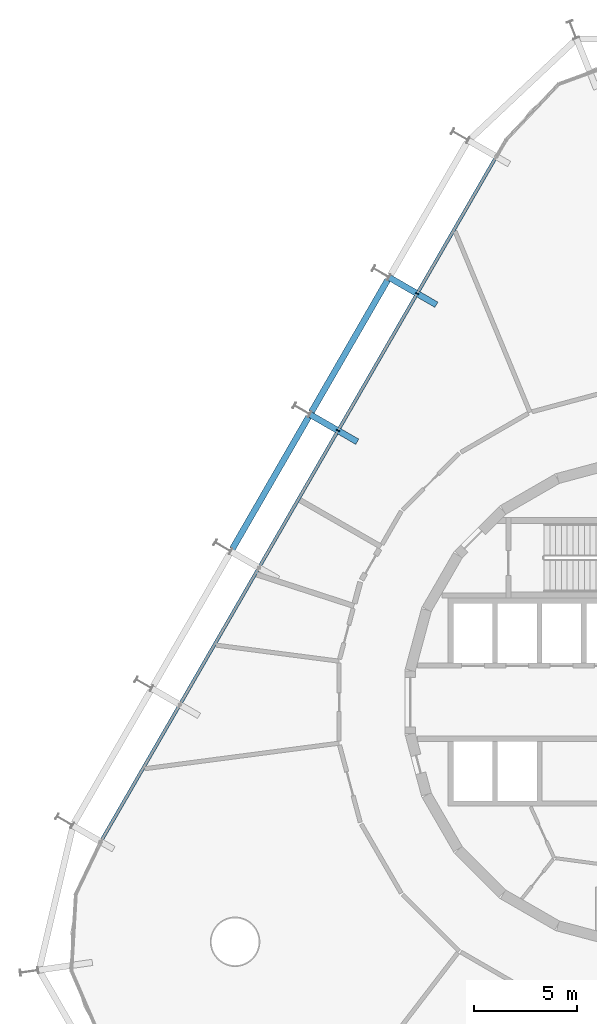
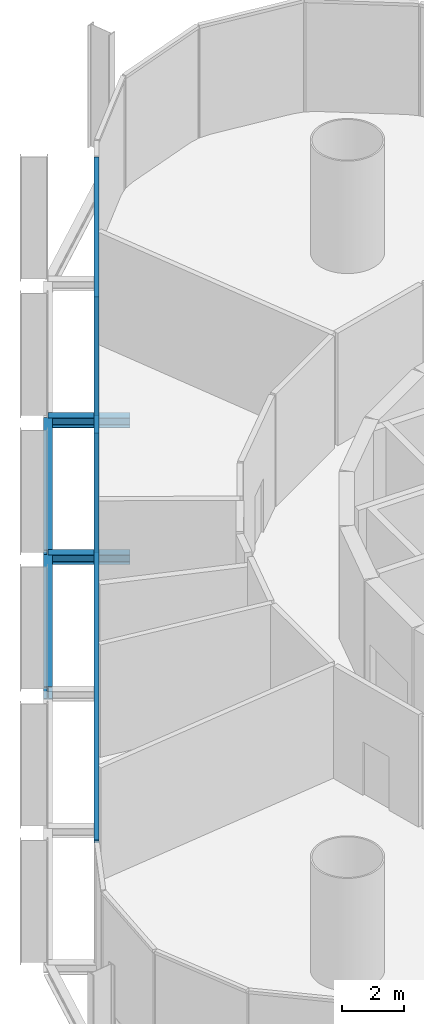
# One storey, part 8 of 17: 4 beams, 3 members, 1 element without a shape of its own.
"""IFC4 building model written with IfcOpenShell, lengths in metres."""

import ifcopenshell
import ifcopenshell.guid

model = None  # the IFC model being written
_history = None  # IfcOwnerHistory: only IFC2X3 demands one
_inside = {}  # id of a spatial element -> (the spatial element, [elements in it])
_under = {}  # id of a project, library or spatial element -> (it, [spatial elements below it])
_declared = {}  # id of a project -> (the project, [libraries it declares])
_typed = {}  # id of a type object -> (the type object, [elements of that type])
_made_of = {}  # id of a material, layer set ... -> (it, [elements and type objects made of it])


def new_model(schema):
    """Start an empty IFC model of exactly this schema.

    Asked for "IFC4X3", IfcOpenShell would pick the latest addendum, in which some entities
    have other attributes; the version numbers below select the first issue.
    IFC2X3 requires an IfcOwnerHistory on every rooted entity: one is made here for all.
    """
    global model, _history
    if schema == "IFC4X3":
        model = ifcopenshell.file(schema_version=(4, 3, 0, 0))
    else:
        model = ifcopenshell.file(schema=schema)
    _inside.clear()
    _under.clear()
    _declared.clear()
    _typed.clear()
    _made_of.clear()
    _history = None
    if model.schema == "IFC2X3":
        org = make("IfcOrganization", Name="unknown")
        user = make(
            "IfcPersonAndOrganization",
            ThePerson=make("IfcPerson", FamilyName="unknown"),
            TheOrganization=org,
        )
        app = make(
            "IfcApplication",
            ApplicationDeveloper=org,
            Version="unknown",
            ApplicationFullName="unknown",
            ApplicationIdentifier="unknown",
        )
        _history = make(
            "IfcOwnerHistory",
            OwningUser=user,
            OwningApplication=app,
            ChangeAction="ADDED",
            CreationDate=0,
        )
    return model


def make(cls, **values):
    """One entity of the class cls with the attributes given. An attribute that is None is left unset."""
    return model.create_entity(
        cls, **{name: value for name, value in values.items() if value is not None}
    )


def rooted(cls, **values):
    """An entity with a GlobalId (a new one), such as an element, a storey or a relation."""
    return make(cls, GlobalId=ifcopenshell.guid.new(), OwnerHistory=_history, **values)


def si_unit(unit_type, name, prefix=None):
    """IfcSIUnit, for example si_unit("LENGTHUNIT", "METRE", prefix="MILLI")."""
    return make("IfcSIUnit", UnitType=unit_type, Prefix=prefix, Name=name)


def assignment(units):
    """IfcUnitAssignment: the units of a project."""
    return None if units is None else make("IfcUnitAssignment", Units=units)


def point(xyz):
    """IfcCartesianPoint."""
    return None if xyz is None else make("IfcCartesianPoint", Coordinates=xyz)


def direction(xyz):
    """IfcDirection."""
    return None if xyz is None else make("IfcDirection", DirectionRatios=xyz)


def frame(location, z_axis=None, x_axis=None):
    """IfcAxis2Placement3D, a coordinate frame: its origin and axes. An axis left out is left unset."""
    return make(
        "IfcAxis2Placement3D",
        Location=point(location),
        Axis=direction(z_axis),
        RefDirection=direction(x_axis),
    )


def frame_2d(location, x_axis=None):
    """IfcAxis2Placement2D, a coordinate frame in the plane: its origin and x axis."""
    return make(
        "IfcAxis2Placement2D", Location=point(location), RefDirection=direction(x_axis)
    )


def origin():
    """The frame at (0, 0, 0) with its axes left unset."""
    return frame((0.0, 0.0, 0.0))


def origin_2d():
    """The frame at (0, 0) in the plane with its x axis left unset."""
    return frame_2d((0.0, 0.0))


def place(relative_to, where):
    """IfcLocalPlacement: puts the frame where relative to a parent placement (None: the world)."""
    return make(
        "IfcLocalPlacement", PlacementRelTo=relative_to, RelativePlacement=where
    )


def context(
    kind, dimensions, precision=None, world=None, true_north=None, identifier=None
):
    """IfcGeometricRepresentationContext, for example the 3D "Model" context."""
    return make(
        "IfcGeometricRepresentationContext",
        ContextIdentifier=identifier,
        ContextType=kind,
        CoordinateSpaceDimension=dimensions,
        Precision=precision,
        WorldCoordinateSystem=world,
        TrueNorth=true_north,
    )


def subcontext(parent, identifier, kind, view, scale=None):
    """IfcGeometricRepresentationSubContext, for example "Body" below "Model"."""
    return make(
        "IfcGeometricRepresentationSubContext",
        ContextIdentifier=identifier,
        ContextType=kind,
        ParentContext=parent,
        TargetScale=scale,
        TargetView=view,
    )


def project(units=None, contexts=None):
    """IfcProject with its units and contexts."""
    return rooted(
        "IfcProject",
        Name="project",
        RepresentationContexts=contexts,
        UnitsInContext=assignment(units),
    )


def spatial(cls, under=None, at=None, **own):
    """A site, building, storey or space (cls), placed at a placement, below another one or the project."""
    s = rooted(cls, ObjectPlacement=at, **own)
    if under is not None:
        _under.setdefault(under.id(), (under, []))[1].append(s)
    return s


def profile(cls, at=None, kind="AREA", **sizes):
    """A parametric profile (cls). Its sizes go by their IFC names, for example OverallWidth=200.0."""
    return make(cls, ProfileType=kind, Position=at, **sizes)


def rectangle(**sizes):
    """IfcRectangleProfileDef."""
    return profile("IfcRectangleProfileDef", **sizes)


def i_section(**sizes):
    """IfcIShapeProfileDef."""
    return profile("IfcIShapeProfileDef", **sizes)


def extrude(swept, where, along, depth):
    """IfcExtrudedAreaSolid: the profile swept, set in the frame where, extruded along a direction by depth."""
    return make(
        "IfcExtrudedAreaSolid",
        SweptArea=swept,
        Position=where,
        ExtrudedDirection=direction(along),
        Depth=depth,
    )


def shape(context_of_items, identifier, shape_type, items):
    """IfcShapeRepresentation: the items that make up one representation, for example the "Body"."""
    return make(
        "IfcShapeRepresentation",
        ContextOfItems=context_of_items,
        RepresentationIdentifier=identifier,
        RepresentationType=shape_type,
        Items=items,
    )


def material(Name=None, Category=None):
    """IfcMaterial."""
    return make("IfcMaterial", Name=Name, Category=Category)


def layer(
    of_material, thickness, ventilated=None, Name=None, Category=None, Priority=None
):
    """IfcMaterialLayer: one layer of a wall or slab, of a material (None: an air gap)."""
    return make(
        "IfcMaterialLayer",
        Material=of_material,
        LayerThickness=thickness,
        IsVentilated=ventilated,
        Name=Name,
        Category=Category,
        Priority=Priority,
    )


def layer_set(layers, Name=None):
    """IfcMaterialLayerSet."""
    return make("IfcMaterialLayerSet", MaterialLayers=layers, LayerSetName=Name)


def material_profile(
    of_material, cross_section, Name=None, Category=None, Priority=None
):
    """IfcMaterialProfile: a cross section and its material."""
    return make(
        "IfcMaterialProfile",
        Name=Name,
        Material=of_material,
        Profile=cross_section,
        Priority=Priority,
        Category=Category,
    )


def profile_set(profiles, Name=None, composite=None):
    """IfcMaterialProfileSet."""
    return make(
        "IfcMaterialProfileSet",
        Name=Name,
        MaterialProfiles=profiles,
        CompositeProfile=composite,
    )


def made_of(thing, what):
    """Note that an element or type object is made of a material, layer set ...; save() writes the relation."""
    if what is not None:
        _made_of.setdefault(what.id(), (what, []))[1].append(thing)
    return thing


def type_object(cls, material=None, **own):
    """A type object (cls), such as IfcWallType, which elements share."""
    return made_of(rooted(cls, **own), material)


def element(
    cls,
    number,
    at=None,
    inside=None,
    cuts=None,
    type_object=None,
    material=None,
    context=None,
    identifier="Body",
    shape_type=None,
    held_by="IfcProductDefinitionShape",
    body=None,
    shapes=None,
    **own,
):
    """One element of the class cls, such as IfcWall. Its Tag is "e" and its number.

    at: its placement. inside: the storey or other place that contains it. cuts: it is an
    opening in that element (IfcRelVoidsElement). A single representation is given by context,
    identifier, shape_type and body (its items); several are given by shapes. held_by: the class
    of the entity that holds the representations. save() writes the other relations.
    """
    e = rooted(cls, Tag="e%d" % number, ObjectPlacement=at, **own)
    if body is not None:
        shapes = [shape(context, identifier, shape_type, body)]
    if shapes is not None:
        e.Representation = make(held_by, Representations=shapes)
    if inside is not None:
        _inside.setdefault(inside.id(), (inside, []))[1].append(e)
    if cuts is not None:
        rooted(
            "IfcRelVoidsElement", RelatingBuildingElement=cuts, RelatedOpeningElement=e
        )
    if type_object is not None:
        _typed.setdefault(type_object.id(), (type_object, []))[1].append(e)
    return made_of(e, material)


def aggregate(whole, parts):
    """IfcRelAggregates: a whole, such as a stair, and the parts it consists of."""
    return rooted("IfcRelAggregates", RelatingObject=whole, RelatedObjects=parts)


def save(model, path):
    """Write the relations noted so far, then the file.

    IfcRelAggregates (storeys below a building ...), IfcRelContainedInSpatialStructure (elements
    in a storey), IfcRelDefinesByType, IfcRelAssociatesMaterial and IfcRelDeclares: one each for
    every whole, place, type object, material and project.
    """
    for whole, parts in _under.values():
        aggregate(whole, parts)
    for where, things in _inside.values():
        rooted(
            "IfcRelContainedInSpatialStructure",
            RelatedElements=things,
            RelatingStructure=where,
        )
    for kind, things in _typed.values():
        rooted("IfcRelDefinesByType", RelatedObjects=things, RelatingType=kind)
    for what, things in _made_of.values():
        rooted("IfcRelAssociatesMaterial", RelatedObjects=things, RelatingMaterial=what)
    for by, libraries in _declared.values():
        rooted("IfcRelDeclares", RelatingContext=by, RelatedDefinitions=libraries)
    model.write(path)


model = new_model("IFC4")

# Units and contexts
model_context = context("Model", 3, precision=1e-05, world=origin(), true_north=direction((0.0, 1.0)))
body_context = subcontext(model_context, "Body", "Model", "MODEL_VIEW")
ifc_project = project(units=[si_unit("LENGTHUNIT", "METRE"), si_unit("AREAUNIT", "SQUARE_METRE"), si_unit("VOLUMEUNIT", "CUBIC_METRE"), si_unit("PLANEANGLEUNIT", "RADIAN"), si_unit("MASSUNIT", "GRAM", prefix="KILO")], contexts=[model_context])

# Site, building, storey
site_placement = place(None, origin())
site = spatial("IfcSite", under=ifc_project, at=site_placement, CompositionType="ELEMENT")
building_placement = place(site_placement, origin())
building = spatial("IfcBuilding", under=site, at=building_placement, Name="Spindle Arch Residences", CompositionType="ELEMENT")
storey_placement = place(building_placement, frame((0.0, 0.0, 13.800048828125)))
storey = spatial("IfcBuildingStorey", under=building, at=storey_placement, Name="L02", CompositionType="ELEMENT", Elevation=13.800048828125)

# Curtain wall, members
ifc_material_1 = material(Name="Aluminium bronze unitised frame with tinted glass", Category="aluminium")
ifc_layer = layer(ifc_material_1, 0.159912109375)
ifc_layer_set = layer_set([ifc_layer], Name="CW-B amenity podium glazed wall")
curtain_wall_type = type_object("IfcCurtainWallType", Name="CW-B amenity podium glazed wall", PredefinedType="NOTDEFINED", material=ifc_layer_set)
curtain_wall_placement = place(storey_placement, origin())
curtain_wall = element("IfcCurtainWall", 1, at=curtain_wall_placement, inside=storey, type_object=curtain_wall_type, Name="CW-B L02 run 4", PredefinedType="NOTDEFINED")
ifc_material_2 = material(Name="Aluminium bronze anodised mullion", Category="aluminium")
ifc_material_profile_1 = material_profile(ifc_material_2, rectangle(XDim=0.159912109375, YDim=0.06005859375, at=origin_2d()), Name="MU 60x160")
ifc_profile_set_1 = profile_set([ifc_material_profile_1], Name="Aluminium bronze anodised mullion")
member_type_1 = type_object("IfcMemberType", Name="Bronze mullion 60x160", PredefinedType="MULLION", material=ifc_profile_set_1)
member_1_placement = place(storey_placement, frame((-11.309326171875, 19.83154296875, -0.380126953125), z_axis=(0.0, 0.0, 1.0), x_axis=(0.866025403784, -0.5, 0.0)))
member_1 = element("IfcMember", 2, at=member_1_placement, type_object=member_type_1, Name="CW-B mullion 14", PredefinedType="MULLION", context=body_context, shape_type="SweptSolid", body=[
    extrude(rectangle(XDim=0.159912109375, YDim=0.06005859375, at=origin_2d()), origin(), (0.0, 0.0, 1.0), 4.68017578125),
])
member_2_placement = place(storey_placement, frame((-15.149169921875, 13.180419921875, -0.380126953125), z_axis=(0.0, 0.0, 1.0), x_axis=(0.866025403784, -0.5, 0.0)))
member_2 = element("IfcMember", 3, at=member_2_placement, type_object=member_type_1, Name="CW-B mullion 15", PredefinedType="MULLION", context=body_context, shape_type="SweptSolid", body=[
    extrude(rectangle(XDim=0.159912109375, YDim=0.06005859375, at=origin_2d()), origin(), (0.0, 0.0, 1.0), 4.68017578125),
])
ifc_material_3 = material(Name="Aluminium bronze anodised transom", Category="aluminium")
ifc_material_profile_2 = material_profile(ifc_material_3, rectangle(XDim=0.159912109375, YDim=0.1201171875, at=origin_2d()), Name="TR 120x160")
ifc_profile_set_2 = profile_set([ifc_material_profile_2], Name="Aluminium bronze anodised transom")
member_type_2 = type_object("IfcMemberType", Name="Bronze transom 120x160", PredefinedType="USERDEFINED", material=ifc_profile_set_2)
member_3_placement = place(storey_placement, frame((-7.484130859375, 26.456787109375, 4.35986328125), z_axis=(-0.50000099666, -0.866024828362, 0.0), x_axis=(0.866024828362, -0.50000099666, 0.0)))
member_3 = element("IfcMember", 4, at=member_3_placement, type_object=member_type_2, Name="CW-B transom 00", ObjectType="TRANSOM", PredefinedType="USERDEFINED", context=body_context, shape_type="SweptSolid", body=[
    extrude(rectangle(XDim=0.159912109375, YDim=0.1201171875, at=origin_2d()), origin(), (0.0, 0.0, 1.0), 38.34033203125),
])
aggregate(curtain_wall, [member_3, member_1, member_2])

# Beams
ifc_material_4 = material(Name="Steel S460ML, intumescent coating R 120", Category="steel")
ifc_material_profile_3 = material_profile(ifc_material_4, i_section(OverallWidth=0.300048828125, OverallDepth=0.5, WebThickness=0.014404296875, FlangeThickness=0.028076171875, FilletRadius=0.027099609375, at=origin_2d()), Name="HEB 500")
ifc_profile_set_3 = profile_set([ifc_material_profile_3], Name="Steel S460ML, intumescent coating R 120")
beam_type_1 = type_object("IfcBeamType", Name="Exoskeleton edge beam HEB 500", PredefinedType="BEAM", material=ifc_profile_set_3)
beam_1_placement = place(storey_placement, frame((-12.73388671875, 20.504150390625, -0.630126953125), z_axis=(-0.49998923004, -0.866031621735, 0.0), x_axis=(0.866031621735, -0.49998923004, 0.0)))
element("IfcBeam", 5, at=beam_1_placement, inside=storey, type_object=beam_type_1, Name="Exoskeleton edge beam 15", PredefinedType="BEAM", context=body_context, shape_type="SweptSolid", body=[
    extrude(i_section(OverallWidth=0.300048828125, OverallDepth=0.5, WebThickness=0.014404296875, FlangeThickness=0.028076171875, FilletRadius=0.027099609375, at=origin_2d()), origin(), (0.0, 0.0, 1.0), 7.420166015625),
])
beam_2_placement = place(storey_placement, frame((-16.573974609375, 13.852783203125, -0.630126953125), z_axis=(-0.500003477455, -0.866023396066, 0.0), x_axis=(0.866023396066, -0.500003477455, 0.0)))
element("IfcBeam", 6, at=beam_2_placement, inside=storey, type_object=beam_type_1, Name="Exoskeleton edge beam 16", PredefinedType="BEAM", context=body_context, shape_type="SweptSolid", body=[
    extrude(i_section(OverallWidth=0.300048828125, OverallDepth=0.5, WebThickness=0.014404296875, FlangeThickness=0.028076171875, FilletRadius=0.027099609375, at=origin_2d()), origin(), (0.0, 0.0, 1.0), 7.419921875),
])
ifc_material_5 = material(Name="Steel S460ML, intumescent coating R 120", Category="steel")
ifc_material_profile_4 = material_profile(ifc_material_5, i_section(OverallWidth=0.300048828125, OverallDepth=0.389892578125, WebThickness=0.010986328125, FlangeThickness=0.01904296875, FilletRadius=0.027099609375, at=origin_2d()), Name="HEA 400")
ifc_profile_set_4 = profile_set([ifc_material_profile_4], Name="Steel S460ML, intumescent coating R 120")
beam_type_2 = type_object("IfcBeamType", Name="Floor outrigger HEA 400", PredefinedType="BEAM", material=ifc_profile_set_4)
for number, where, z_axis, x_axis, name in (
    (7, (-12.6689453125, 20.61669921875, -0.574951171875), (0.866052124492, -0.499953715521, 0.0), (0.499953715521, 0.866052124492, 0.0), "Floor outrigger 15"),
    (8, (-16.5087890625, 13.965576171875, -0.574951171875), (0.865989200783, -0.500062700197, 0.0), (0.500062700197, 0.865989200783, 0.0), "Floor outrigger 16"),
):
    element("IfcBeam", number, at=place(storey_placement, frame(where, z_axis=z_axis, x_axis=x_axis)), inside=storey, type_object=beam_type_2, Name=name, PredefinedType="BEAM", context=body_context, shape_type="SweptSolid", body=[
        extrude(i_section(OverallWidth=0.300048828125, OverallDepth=0.389892578125, WebThickness=0.010986328125, FlangeThickness=0.01904296875, FilletRadius=0.027099609375, at=origin_2d()), origin(), (0.0, 0.0, 1.0), 2.650146484375),
    ])

save(model, "model.ifc")
